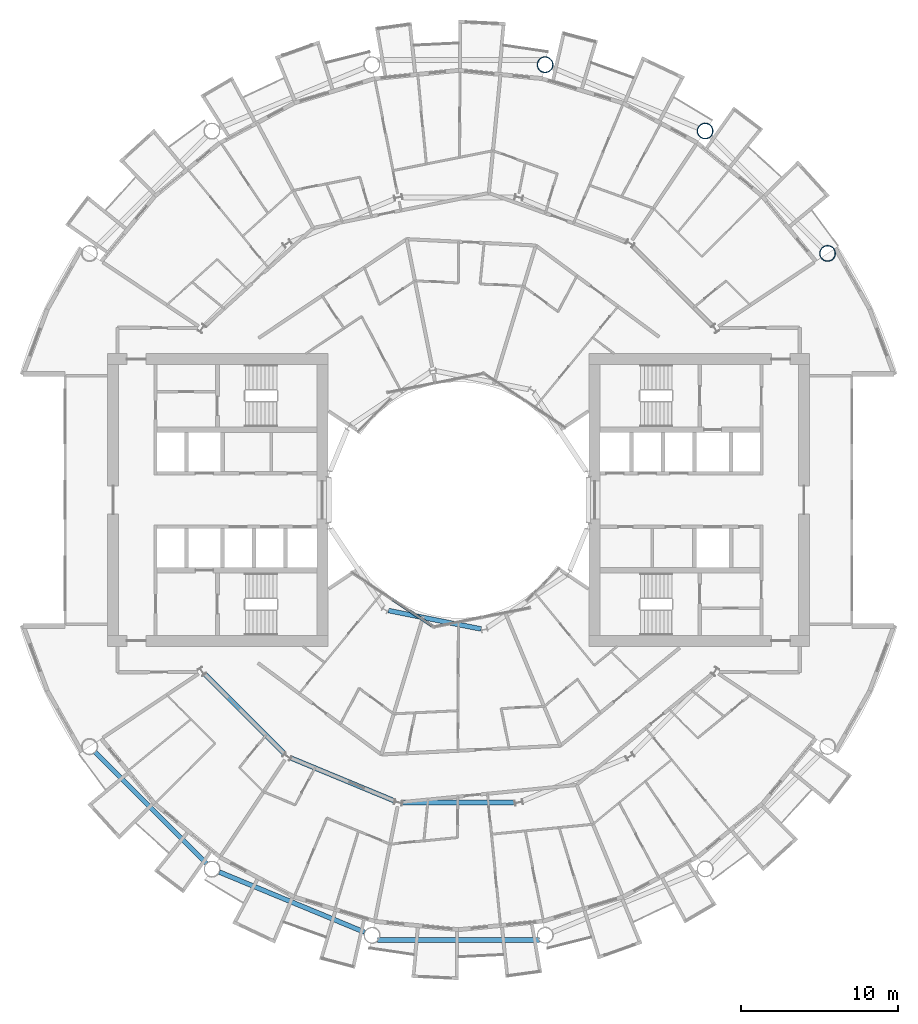
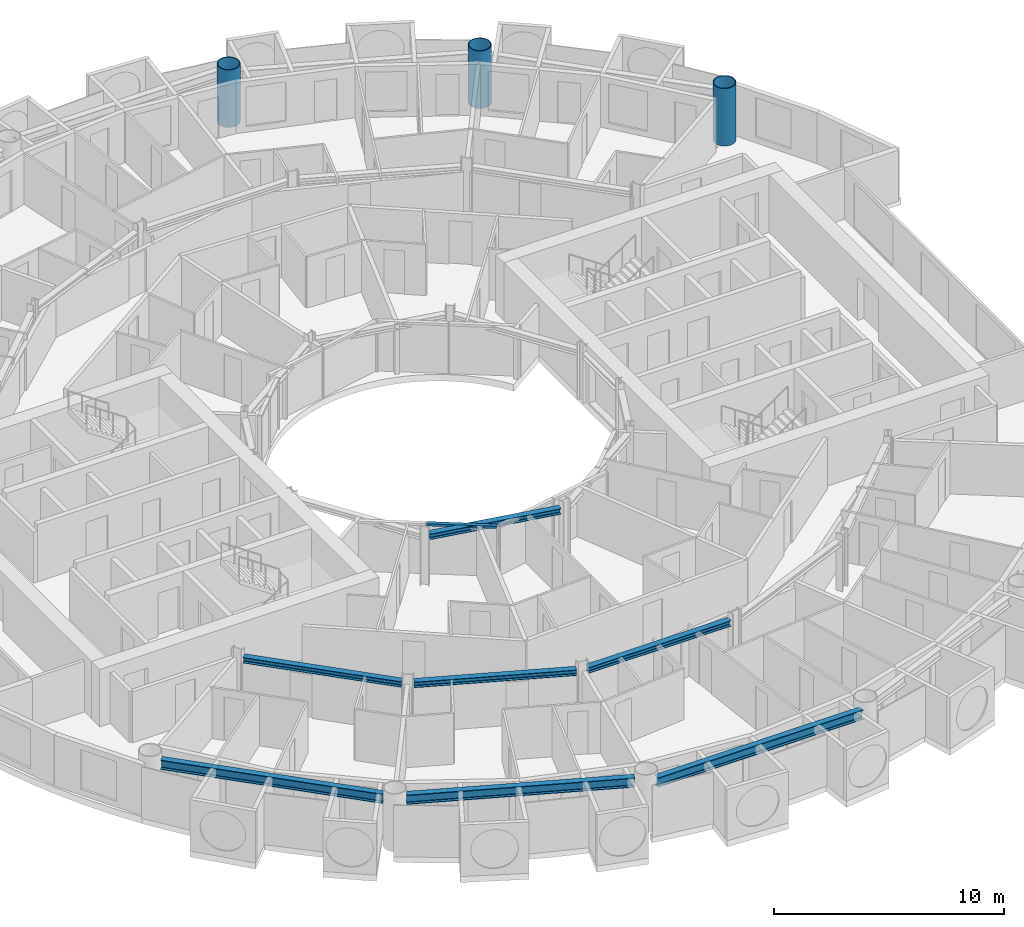
# One storey, part 4 of 26: 7 beams, 3 columns, 1 member, 1 element without a shape of its own.
"""IFC4 building model written with IfcOpenShell, lengths in metres."""

from ifc_helpers import new_model, si_unit, direction, frame, origin, origin_2d, place, context, subcontext, project, spatial, rectangle, hollow_circle, i_section, extrude, material, layer, layer_set, material_profile, profile_set, type_object, element, aggregate, save


model = new_model("IFC4")

# Units and contexts
model_context = context("Model", 3, precision=1e-05, world=origin(), true_north=direction((0.0, 1.0)))
body_context = subcontext(model_context, "Body", "Model", "MODEL_VIEW")
ifc_project = project(units=[si_unit("LENGTHUNIT", "METRE"), si_unit("AREAUNIT", "SQUARE_METRE"), si_unit("VOLUMEUNIT", "CUBIC_METRE"), si_unit("PLANEANGLEUNIT", "RADIAN"), si_unit("MASSUNIT", "GRAM", prefix="KILO")], contexts=[model_context])

# Site, building, storey
site_placement = place(None, origin())
site = spatial("IfcSite", under=ifc_project, at=site_placement, CompositionType="ELEMENT")
building_placement = place(site_placement, origin())
building = spatial("IfcBuilding", under=site, at=building_placement, Name="Maasbend Ring Residences", CompositionType="ELEMENT")
storey_placement = place(building_placement, frame((0.0, 0.0, 63.60009765625)))
storey = spatial("IfcBuildingStorey", under=building, at=storey_placement, Name="L17", CompositionType="ELEMENT", Elevation=63.60009765625)

# Columns
ifc_material_1 = material(Name="Composite concrete-filled steel tube S460NH / C80/95", Category="concrete")
ifc_material_profile_1 = material_profile(ifc_material_1, hollow_circle(Radius=0.508056640625, WallThickness=0.0400390625, at=origin_2d()), Name="Composite tube column CHS 1016x40")
ifc_profile_set_1 = profile_set([ifc_material_profile_1], Name="Composite concrete-filled steel tube S460NH / C80/95")
column_type = type_object("IfcColumnType", Name="Composite tube column CHS 1016x40", PredefinedType="COLUMN", material=ifc_profile_set_1)
for number, where, z_axis, x_axis, name in (
    (1, (23.447509765625, 15.6669921875, 0.0), (0.0, 0.0, 1.0), (1.0, 0.0, 0.0), "Outer column R2"),
    (2, (15.6669921875, 23.447509765625, 0.0), (0.0, 0.0, 1.0), (1.0, 0.0, 0.0), "Outer column R3"),
    (3, (5.50146484375, 27.658203125, 0.0), (0.0, 0.0, 1.0), (1.0, 0.0, 0.0), "Outer column R4"),
):
    element("IfcColumn", number, at=place(storey_placement, frame(where, z_axis=z_axis, x_axis=x_axis)), inside=storey, type_object=column_type, Name=name, PredefinedType="COLUMN", context=body_context, shape_type="SweptSolid", body=[
        extrude(hollow_circle(Radius=0.508056640625, WallThickness=0.0400390625, at=origin_2d()), origin(), (0.0, 0.0, 1.0), 3.0498046875),
    ])

# Curtain wall, member
ifc_material_2 = material(Name="Aluminium and clear glass", Category="aluminium")
ifc_layer = layer(ifc_material_2, 0.179931640625)
ifc_layer_set = layer_set([ifc_layer], Name="CW-W")
curtain_wall_type = type_object("IfcCurtainWallType", Name="CW-W", PredefinedType="NOTDEFINED", material=ifc_layer_set)
curtain_wall_placement = place(storey_placement, origin())
curtain_wall = element("IfcCurtainWall", 4, at=curtain_wall_placement, inside=storey, type_object=curtain_wall_type, Name="Well curtain wall S1", PredefinedType="NOTDEFINED")
ifc_material_3 = material(Name="Aluminium 6063-T6", Category="aluminium")
ifc_material_profile_2 = material_profile(ifc_material_3, rectangle(XDim=0.179931640625, YDim=0.1201171875, at=origin_2d()), Name="AL 180x120")
ifc_profile_set_2 = profile_set([ifc_material_profile_2], Name="Aluminium 6063-T6")
member_type = type_object("IfcMemberType", Name="CWT-W", PredefinedType="USERDEFINED", material=ifc_profile_set_2)
member_placement = place(storey_placement, frame((-4.19189453125, -6.32763671875, 2.639892578125), z_axis=(0.831496422459, -0.555530106689, 0.0), x_axis=(0.555530106689, 0.831496422459, 0.0)))
member = element("IfcMember", 5, at=member_placement, type_object=member_type, Name="Transom well face", ObjectType="TRANSOM", PredefinedType="USERDEFINED", context=body_context, shape_type="SweptSolid", body=[
    extrude(rectangle(XDim=0.179931640625, YDim=0.1201171875, at=origin_2d()), origin(), (0.0, 0.0, 1.0), 3.053955078125),
])
aggregate(curtain_wall, [member])

# Beams
ifc_material_4 = material(Name="Steel S355J2", Category="steel")
ifc_material_profile_3 = material_profile(ifc_material_4, i_section(OverallWidth=0.300048828125, OverallDepth=0.300048828125, WebThickness=0.010986328125, FlangeThickness=0.01904296875, FilletRadius=0.027099609375, at=origin_2d()), Name="HEB 300")
ifc_profile_set_3 = profile_set([ifc_material_profile_3], Name="Steel S355J2")
beam_type_1 = type_object("IfcBeamType", Name="Corridor ring beam HEB 300", PredefinedType="BEAM", material=ifc_profile_set_3)
for number, where, z_axis, x_axis, name in (
    (6, (-16.10791015625, -11.078125, 2.5498046875), (0.707106781187, -0.707106781187, 0.0), (0.707106781187, 0.707106781187, 0.0), "Corridor ring beam"),
    (7, (-10.642333984375, -16.39892578125, 2.5498046875), (0.923877113721, -0.382689271788, 0.0), (0.382689271788, 0.923877113721, 0.0), "Corridor ring beam"),
    (8, (-3.556640625, -19.223388671875, 2.5498046875), (1.0, 0.0, 0.0), (0.0, 1.0, 0.0), "Corridor ring beam"),
):
    element("IfcBeam", number, at=place(storey_placement, frame(where, z_axis=z_axis, x_axis=x_axis)), inside=storey, type_object=beam_type_1, Name=name, PredefinedType="BEAM", context=body_context, shape_type="SweptSolid", body=[
        extrude(i_section(OverallWidth=0.300048828125, OverallDepth=0.300048828125, WebThickness=0.010986328125, FlangeThickness=0.01904296875, FilletRadius=0.027099609375, at=origin_2d()), origin(), (0.0, 0.0, 1.0), 7.11328125),
    ])
ifc_material_5 = material(Name="Steel S355J2", Category="steel")
ifc_material_profile_4 = material_profile(ifc_material_5, i_section(OverallWidth=0.300048828125, OverallDepth=0.5, WebThickness=0.014404296875, FlangeThickness=0.028076171875, FilletRadius=0.027099609375, at=origin_2d()), Name="HEB 500")
ifc_profile_set_4 = profile_set([ifc_material_profile_4], Name="Steel S355J2")
beam_type_2 = type_object("IfcBeamType", Name="Spandrel ring beam HEB 500", PredefinedType="SPANDREL", material=ifc_profile_set_4)
beam_1_placement = place(storey_placement, frame((-23.088134765625, -16.0263671875, 2.449951171875), z_axis=(0.707106781187, -0.707106781187, 0.0), x_axis=(0.707106781187, 0.707106781187, 0.0)))
element("IfcBeam", 9, at=beam_1_placement, inside=storey, type_object=beam_type_2, Name="Spandrel ring beam", PredefinedType="SPANDREL", context=body_context, shape_type="SweptSolid", body=[
    extrude(i_section(OverallWidth=0.300048828125, OverallDepth=0.5, WebThickness=0.014404296875, FlangeThickness=0.028076171875, FilletRadius=0.027099609375, at=origin_2d()), origin(), (0.0, 0.0, 1.0), 9.98681640625),
])
beam_2_placement = place(storey_placement, frame((-15.19775390625, -23.641845703125, 2.449951171875), z_axis=(0.923886337442, -0.382667003395, 0.0), x_axis=(0.382667003395, 0.923886337442, 0.0)))
element("IfcBeam", 10, at=beam_2_placement, inside=storey, type_object=beam_type_2, Name="Spandrel ring beam", PredefinedType="SPANDREL", context=body_context, shape_type="SweptSolid", body=[
    extrude(i_section(OverallWidth=0.300048828125, OverallDepth=0.5, WebThickness=0.014404296875, FlangeThickness=0.028076171875, FilletRadius=0.027099609375, at=origin_2d()), origin(), (0.0, 0.0, 1.0), 9.9873046875),
])
beam_3_placement = place(storey_placement, frame((-5.1435546875, -27.9580078125, 2.449951171875), z_axis=(1.0, 0.0, 0.0), x_axis=(0.0, 1.0, 0.0)))
element("IfcBeam", 11, at=beam_3_placement, inside=storey, type_object=beam_type_2, Name="Spandrel ring beam", PredefinedType="SPANDREL", context=body_context, shape_type="SweptSolid", body=[
    extrude(i_section(OverallWidth=0.300048828125, OverallDepth=0.5, WebThickness=0.014404296875, FlangeThickness=0.028076171875, FilletRadius=0.027099609375, at=origin_2d()), origin(), (0.0, 0.0, 1.0), 10.287109375),
])
ifc_material_6 = material(Name="Steel S355J2", Category="steel")
ifc_material_profile_5 = material_profile(ifc_material_6, i_section(OverallWidth=0.300048828125, OverallDepth=0.300048828125, WebThickness=0.010986328125, FlangeThickness=0.01904296875, FilletRadius=0.027099609375, at=origin_2d()), Name="HEB 300")
ifc_profile_set_5 = profile_set([ifc_material_profile_5], Name="Steel S355J2")
beam_type_3 = type_object("IfcBeamType", Name="Well edge beam HEB 300", PredefinedType="BEAM", material=ifc_profile_set_5)
beam_4_placement = place(storey_placement, frame((-4.45458984375, -7.026611328125, 2.5498046875), z_axis=(0.980789954577, -0.195066821885, 0.0), x_axis=(0.195066821885, 0.980789954577, 0.0)))
element("IfcBeam", 12, at=beam_4_placement, inside=storey, type_object=beam_type_3, Name="Well edge beam", PredefinedType="BEAM", context=body_context, shape_type="SweptSolid", body=[
    extrude(i_section(OverallWidth=0.300048828125, OverallDepth=0.300048828125, WebThickness=0.010986328125, FlangeThickness=0.01904296875, FilletRadius=0.027099609375, at=origin_2d()), origin(), (0.0, 0.0, 1.0), 5.996337890625),
])

save(model, "model.ifc")
